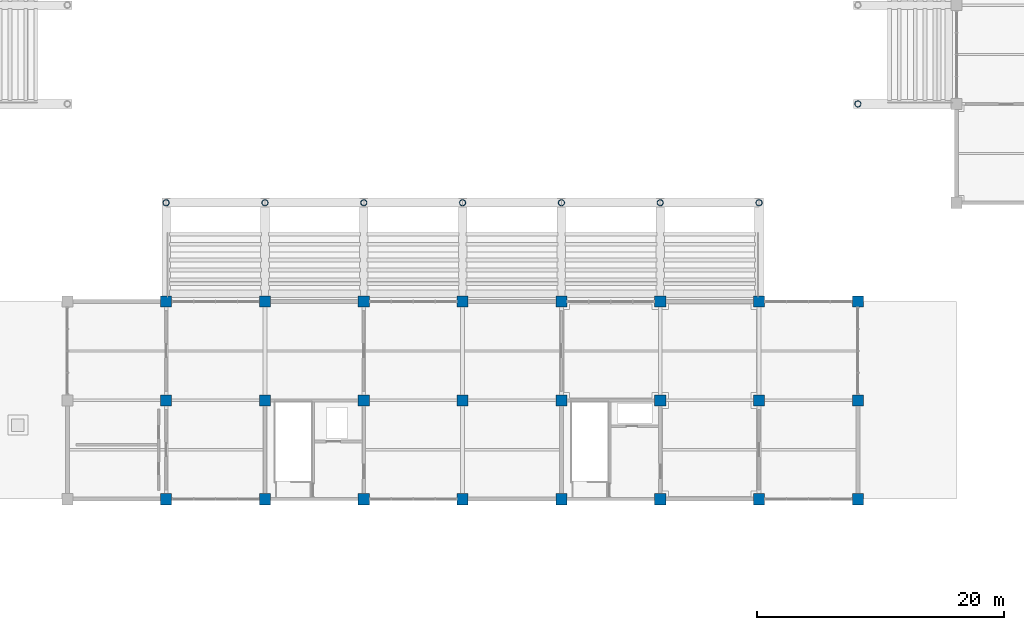
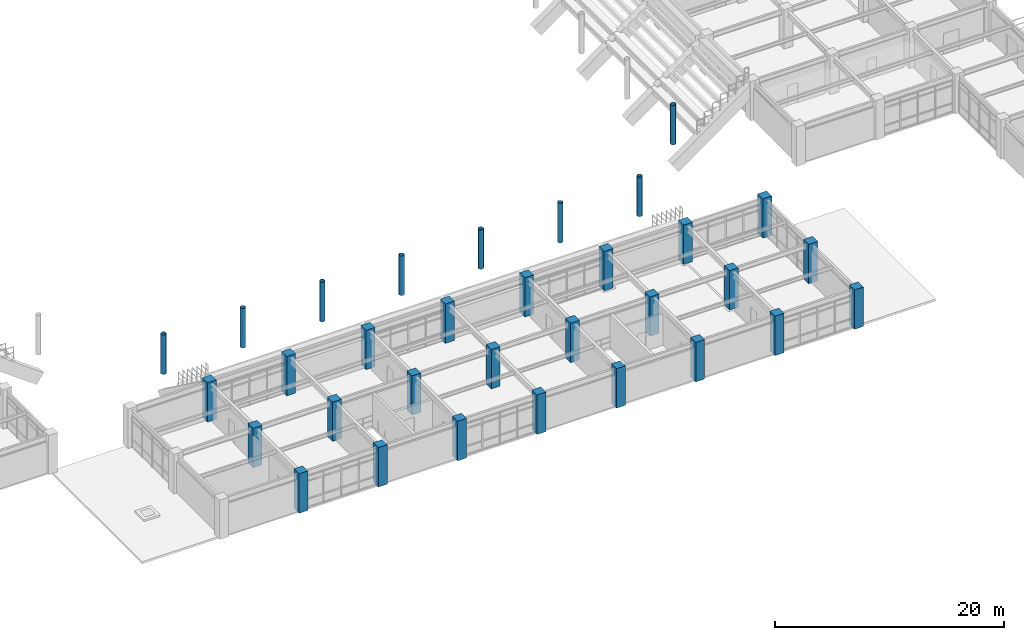
# One storey, part 2 of 118: 32 columns.
"""IFC4 building model written with IfcOpenShell, lengths in metres."""

from ifc_helpers import new_model, si_unit, direction, frame, origin, origin_2d, place, context, subcontext, project, spatial, rectangle, hollow_circle, extrude, material, material_profile, profile_set, type_object, element, save


model = new_model("IFC4")

# Units and contexts
model_context = context("Model", 3, precision=1e-05, world=origin(), true_north=direction((0.0, 1.0)))
body_context = subcontext(model_context, "Body", "Model", "MODEL_VIEW")
ifc_project = project(units=[si_unit("LENGTHUNIT", "METRE"), si_unit("AREAUNIT", "SQUARE_METRE"), si_unit("VOLUMEUNIT", "CUBIC_METRE"), si_unit("PLANEANGLEUNIT", "RADIAN"), si_unit("MASSUNIT", "GRAM", prefix="KILO")], contexts=[model_context])

# Site, building, storey
site_placement = place(None, origin())
site = spatial("IfcSite", under=ifc_project, at=site_placement, CompositionType="ELEMENT")
building_placement = place(site_placement, origin())
building = spatial("IfcBuilding", under=site, at=building_placement, Name="Haebicheon Civic Stadium", CompositionType="ELEMENT")
storey_placement = place(building_placement, frame((0.0, 0.0, 14.39990234375)))
storey = spatial("IfcBuildingStorey", under=building, at=storey_placement, Name="L04", CompositionType="ELEMENT", Elevation=14.39990234375)

# Columns
ifc_material_1 = material(Name="Concrete C40/50", Category="concrete")
ifc_material_profile_1 = material_profile(ifc_material_1, rectangle(XDim=0.89990234375, YDim=0.89990234375, at=origin_2d()), Name="RC-COL-900x900")
ifc_profile_set_1 = profile_set([ifc_material_profile_1], Name="Concrete C40/50")
column_type_1 = type_object("IfcColumnType", Name="COL-RC-900", PredefinedType="COLUMN", material=ifc_profile_set_1)
for number, where, z_axis, x_axis, name in (
    (1, (80.0, 16.0, 0.0), (0.0, 0.0, 1.0), (1.0, 0.0, 0.0), "L04 column 11/C"),
    (2, (80.0, 24.0, 0.0), (0.0, 0.0, 1.0), (1.0, 0.0, 0.0), "L04 column 11/D"),
    (3, (80.0, 32.0, 0.0), (0.0, 0.0, 1.0), (1.0, 0.0, 0.0), "L04 column 11/E"),
    (4, (88.0, 16.0, 0.0), (0.0, 0.0, 1.0), (1.0, 0.0, 0.0), "L04 column 12/C"),
    (5, (88.0, 24.0, 0.0), (0.0, 0.0, 1.0), (1.0, 0.0, 0.0), "L04 column 12/D"),
    (6, (88.0, 32.0, 0.0), (0.0, 0.0, 1.0), (1.0, 0.0, 0.0), "L04 column 12/E"),
    (7, (96.0, 16.0, 0.0), (0.0, 0.0, 1.0), (1.0, 0.0, 0.0), "L04 column 13/C"),
    (8, (96.0, 24.0, 0.0), (0.0, 0.0, 1.0), (1.0, 0.0, 0.0), "L04 column 13/D"),
    (9, (96.0, 32.0, 0.0), (0.0, 0.0, 1.0), (1.0, 0.0, 0.0), "L04 column 13/E"),
    (10, (104.0, 16.0, 0.0), (0.0, 0.0, 1.0), (1.0, 0.0, 0.0), "L04 column 14/C"),
    (11, (104.0, 24.0, 0.0), (0.0, 0.0, 1.0), (1.0, 0.0, 0.0), "L04 column 14/D"),
    (12, (104.0, 32.0, 0.0), (0.0, 0.0, 1.0), (1.0, 0.0, 0.0), "L04 column 14/E"),
    (13, (112.0, 16.0, 0.0), (0.0, 0.0, 1.0), (1.0, 0.0, 0.0), "L04 column 15/C"),
    (14, (112.0, 24.0, 0.0), (0.0, 0.0, 1.0), (1.0, 0.0, 0.0), "L04 column 15/D"),
    (15, (112.0, 32.0, 0.0), (0.0, 0.0, 1.0), (1.0, 0.0, 0.0), "L04 column 15/E"),
    (16, (120.0, 16.0, 0.0), (0.0, 0.0, 1.0), (1.0, 0.0, 0.0), "L04 column 16/C"),
    (17, (120.0, 24.0, 0.0), (0.0, 0.0, 1.0), (1.0, 0.0, 0.0), "L04 column 16/D"),
    (18, (120.0, 32.0, 0.0), (0.0, 0.0, 1.0), (1.0, 0.0, 0.0), "L04 column 16/E"),
    (19, (128.0, 16.0, 0.0), (0.0, 0.0, 1.0), (1.0, 0.0, 0.0), "L04 column 17/C"),
    (20, (128.0, 24.0, 0.0), (0.0, 0.0, 1.0), (1.0, 0.0, 0.0), "L04 column 17/D"),
    (21, (128.0, 32.0, 0.0), (0.0, 0.0, 1.0), (1.0, 0.0, 0.0), "L04 column 17/E"),
    (22, (136.0, 16.0, 0.0), (0.0, 0.0, 1.0), (1.0, 0.0, 0.0), "L04 column 18/C"),
    (23, (136.0, 24.0, 0.0), (0.0, 0.0, 1.0), (1.0, 0.0, 0.0), "L04 column 18/D"),
    (24, (136.0, 32.0, 0.0), (0.0, 0.0, 1.0), (1.0, 0.0, 0.0), "L04 column 18/E"),
):
    element("IfcColumn", number, at=place(storey_placement, frame(where, z_axis=z_axis, x_axis=x_axis)), inside=storey, type_object=column_type_1, material=ifc_profile_set_1, Name=name, PredefinedType="COLUMN", context=body_context, shape_type="SweptSolid", body=[
        extrude(rectangle(XDim=0.89990234375, YDim=0.89990234375, at=origin_2d()), origin(), (0.0, 0.0, 1.0), 4.2001953125),
    ])
ifc_material_2 = material(Name="White painted steel SM490", Category="steel")
ifc_material_profile_2 = material_profile(ifc_material_2, hollow_circle(Radius=0.25390625, WallThickness=0.02490234375, at=origin_2d()), Name="CHS-508.0x25.0")
ifc_profile_set_2 = profile_set([ifc_material_profile_2], Name="White painted steel SM490")
column_type_2 = type_object("IfcColumnType", Name="COL-ST-CHS508", PredefinedType="COLUMN", material=ifc_profile_set_2)
for number, where, z_axis, x_axis, name in (
    (25, (136.0, 48.0, 0.0), (0.0, 0.0, 1.0), (1.0, 0.0, 0.0), "Bowl/canopy support column 136/48 (L04)"),
    (26, (80.0, 40.0, 0.0), (0.0, 0.0, 1.0), (1.0, 0.0, 0.0), "Bowl/canopy support column 80/40 (L04)"),
    (27, (88.0, 40.0, 0.0), (0.0, 0.0, 1.0), (1.0, 0.0, 0.0), "Bowl/canopy support column 88/40 (L04)"),
    (28, (96.0, 40.0, 0.0), (0.0, 0.0, 1.0), (1.0, 0.0, 0.0), "Bowl/canopy support column 96/40 (L04)"),
    (29, (104.0, 40.0, 0.0), (0.0, 0.0, 1.0), (1.0, 0.0, 0.0), "Bowl/canopy support column 104/40 (L04)"),
    (30, (112.0, 40.0, 0.0), (0.0, 0.0, 1.0), (1.0, 0.0, 0.0), "Bowl/canopy support column 112/40 (L04)"),
    (31, (120.0, 40.0, 0.0), (0.0, 0.0, 1.0), (1.0, 0.0, 0.0), "Bowl/canopy support column 120/40 (L04)"),
    (32, (128.0, 40.0, 0.0), (0.0, 0.0, 1.0), (1.0, 0.0, 0.0), "Bowl/canopy support column 128/40 (L04)"),
):
    element("IfcColumn", number, at=place(storey_placement, frame(where, z_axis=z_axis, x_axis=x_axis)), inside=storey, type_object=column_type_2, material=ifc_profile_set_2, Name=name, PredefinedType="COLUMN", context=body_context, shape_type="SweptSolid", body=[
        extrude(hollow_circle(Radius=0.25390625, WallThickness=0.02490234375, at=origin_2d()), origin(), (0.0, 0.0, 1.0), 4.2001953125),
    ])

save(model, "model.ifc")
